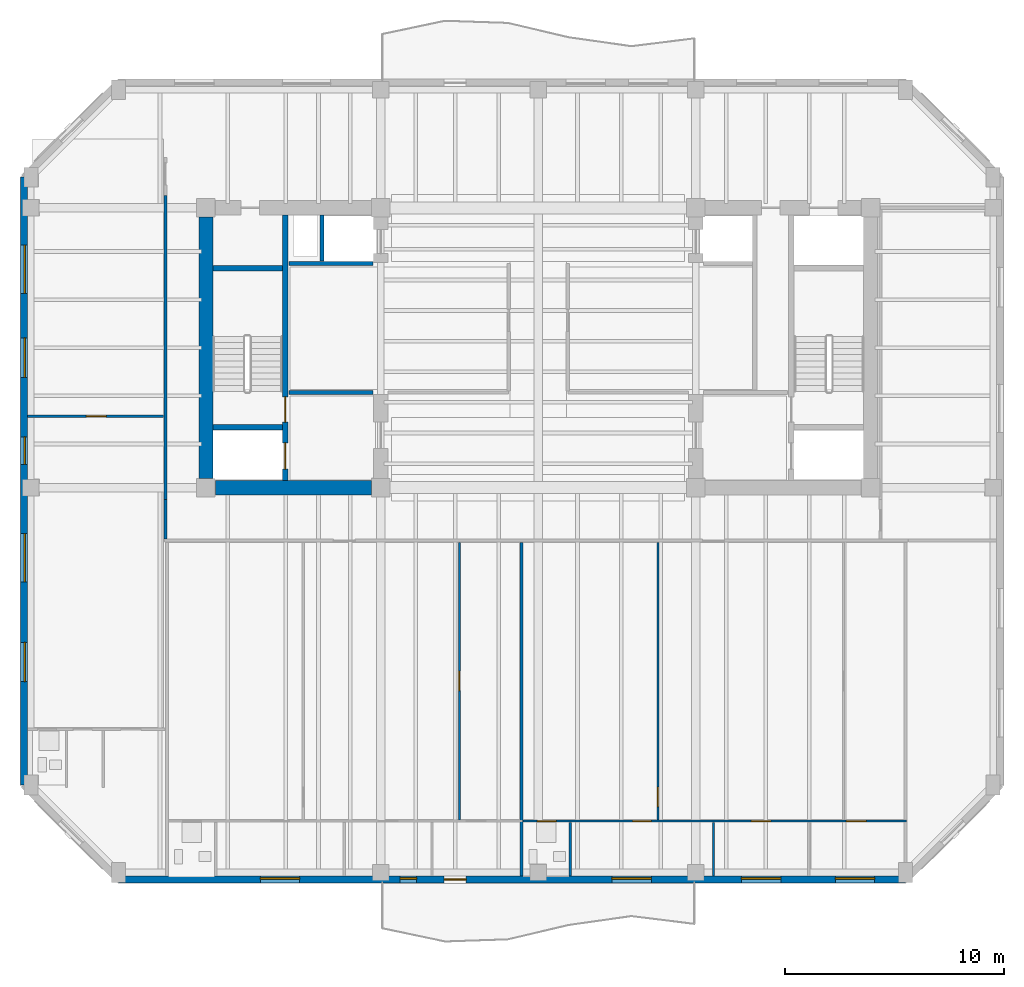
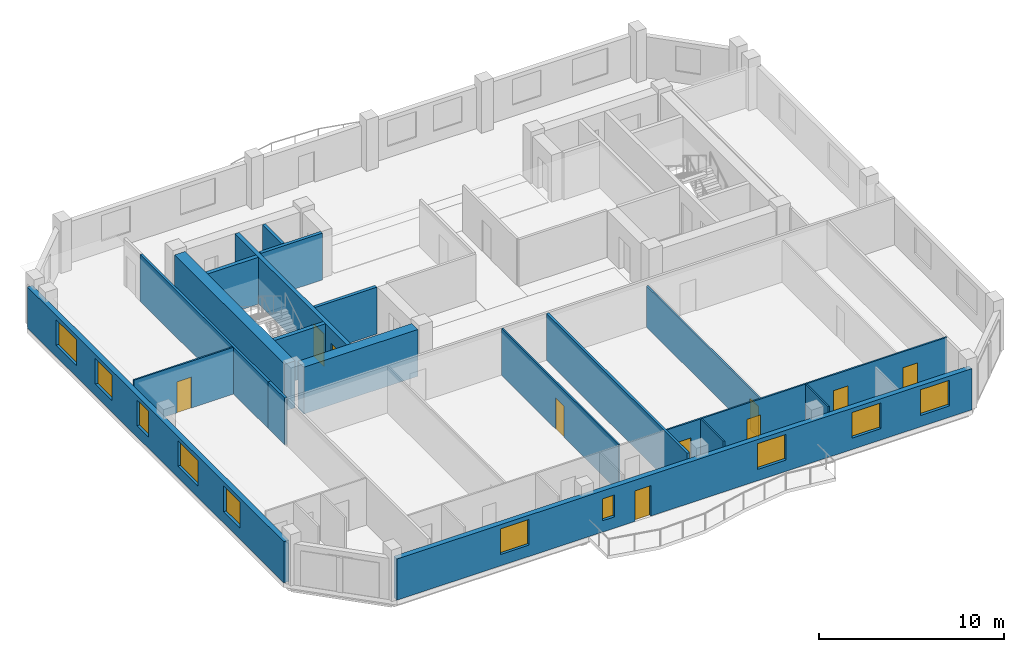
# One storey, part 3 of 10: 19 walls, 10 doors, 10 windows, 20 openings.
"""IFC4 building model written with IfcOpenShell, lengths in metres."""

from ifc_helpers import new_model, si_unit, direction, frame, frame_2d, origin, place, context, subcontext, project, spatial, rectangle, extrude, material, layer, layer_set, type_object, element, fill, save


model = new_model("IFC4")

# Units and contexts
model_context = context("Model", 3, precision=1e-05, world=origin(), true_north=direction((0.0, 1.0)))
body_context = subcontext(model_context, "Body", "Model", "MODEL_VIEW")
ifc_project = project(units=[si_unit("LENGTHUNIT", "METRE"), si_unit("AREAUNIT", "SQUARE_METRE"), si_unit("VOLUMEUNIT", "CUBIC_METRE"), si_unit("PLANEANGLEUNIT", "RADIAN"), si_unit("MASSUNIT", "GRAM", prefix="KILO")], contexts=[model_context])

# Site, building, storey
site_placement = place(None, origin())
site = spatial("IfcSite", under=ifc_project, at=site_placement, CompositionType="ELEMENT")
building_placement = place(site_placement, origin())
building = spatial("IfcBuilding", under=site, at=building_placement, Name="Kranthara Brick Stack", CompositionType="ELEMENT")
storey_placement = place(building_placement, frame((0.0, 0.0, 214.300048828125)))
storey = spatial("IfcBuildingStorey", under=building, at=storey_placement, Name="L55", CompositionType="ELEMENT", Elevation=214.300048828125)

# Wall, openings, door, windows
ifc_material_1 = material(Name="Warm buff clay brick masonry M15", Category="masonry")
ifc_layer_1 = layer(ifc_material_1, 0.320068359375)
ifc_layer_set_1 = layer_set([ifc_layer_1], Name="Warm buff clay brick masonry M15")
wall_type_1 = type_object("IfcWallType", Name="WL-BRK-UPPR-320", PredefinedType="STANDARD", material=ifc_layer_set_1)
wall_1_placement = place(storey_placement, frame((44.800048828125, 2.8798828125, 0.0), z_axis=(0.0, 0.0, 1.0), x_axis=(-1.0, 0.0, 0.0)))
wall_1 = element("IfcWall", 1, at=wall_1_placement, inside=storey, type_object=wall_type_1, Name="L55 Exterior Brick Facade Wall SOUTH 1", PredefinedType="STANDARD", context=body_context, shape_type="SweptSolid", body=[
    extrude(rectangle(XDim=36.0, YDim=0.320068359375, at=frame_2d((18.0, 0.0))), origin(), (0.0, 0.0, 1.0), 2.724853515625),
])
opening_1_placement = place(wall_1_placement, frame((20.10009765625, 0.0, 0.0)))
opening_1 = element("IfcOpeningElement", 2, at=opening_1_placement, cuts=wall_1, Name="Opening D03", PredefinedType="OPENING", context=body_context, shape_type="SweptSolid", body=[
    extrude(rectangle(XDim=1.0, YDim=2.02001953125, at=frame_2d((0.5, 1.010009765625))), frame((0.0, 0.169921875, 0.0), z_axis=(0.0, -1.0, 0.0), x_axis=(1.0, 0.0, 0.0)), (0.0, 0.0, 1.0), 0.340087890625),
])
opening_2_placement = place(wall_1_placement, frame((1.416015625, 0.0, 0.75)))
opening_2 = element("IfcOpeningElement", 3, at=opening_2_placement, cuts=wall_1, Name="Opening WN07", PredefinedType="OPENING", context=body_context, shape_type="SweptSolid", body=[
    extrude(rectangle(XDim=1.800048828125, YDim=1.699951171875, at=frame_2d((0.89990234375, 0.85009765625))), frame((0.0, 0.169921875, 0.0), z_axis=(0.0, -1.0, 0.0), x_axis=(1.0, 0.0, 0.0)), (0.0, 0.0, 1.0), 0.340087890625),
])
opening_3_placement = place(wall_1_placement, frame((5.70703125, 0.0, 0.75)))
opening_3 = element("IfcOpeningElement", 4, at=opening_3_placement, cuts=wall_1, Name="Opening WN07", PredefinedType="OPENING", context=body_context, shape_type="SweptSolid", body=[
    extrude(rectangle(XDim=1.800048828125, YDim=1.699951171875, at=frame_2d((0.89990234375, 0.85009765625))), frame((0.0, 0.169921875, 0.0), z_axis=(0.0, -1.0, 0.0), x_axis=(1.0, 0.0, 0.0)), (0.0, 0.0, 1.0), 0.340087890625),
])
opening_4_placement = place(wall_1_placement, frame((11.6298828125, 0.0, 0.75)))
opening_4 = element("IfcOpeningElement", 5, at=opening_4_placement, cuts=wall_1, Name="Opening WN07", PredefinedType="OPENING", context=body_context, shape_type="SweptSolid", body=[
    extrude(rectangle(XDim=1.800048828125, YDim=1.699951171875, at=frame_2d((0.89990234375, 0.85009765625))), frame((0.0, 0.169921875, 0.0), z_axis=(0.0, -1.0, 0.0), x_axis=(1.0, 0.0, 0.0)), (0.0, 0.0, 1.0), 0.340087890625),
])
opening_5_placement = place(wall_1_placement, frame((27.7119140625, 0.0, 0.75)))
opening_5 = element("IfcOpeningElement", 6, at=opening_5_placement, cuts=wall_1, Name="Opening WN07", PredefinedType="OPENING", context=body_context, shape_type="SweptSolid", body=[
    extrude(rectangle(XDim=1.800048828125, YDim=1.699951171875, at=frame_2d((0.89990234375, 0.85009765625))), frame((0.0, 0.169921875, 0.0), z_axis=(0.0, -1.0, 0.0), x_axis=(1.0, 0.0, 0.0)), (0.0, 0.0, 1.0), 0.340087890625),
])
opening_6_placement = place(wall_1_placement, frame((22.366943359375, 0.0, 0.75)))
opening_6 = element("IfcOpeningElement", 7, at=opening_6_placement, cuts=wall_1, Name="Opening WN13", PredefinedType="OPENING", context=body_context, shape_type="SweptSolid", body=[
    extrude(rectangle(XDim=0.75, YDim=1.449951171875, at=frame_2d((0.375, 0.72509765625))), frame((0.0, 0.169921875, 0.0), z_axis=(0.0, -1.0, 0.0), x_axis=(1.0, 0.0, 0.0)), (0.0, 0.0, 1.0), 0.340087890625),
])
ifc_material_2 = material(Name="Bronze anodised aluminium and laminated glass", Category="aluminium")
door_type_1 = type_object("IfcDoorType", Name="DR-BALC-1000", OperationType="NOTDEFINED", PredefinedType="DOOR", material=ifc_material_2)
door_1_placement = place(opening_1_placement, origin())
door_1 = element("IfcDoor", 8, at=door_1_placement, inside=storey, type_object=door_type_1, Name="L55 South Balcony Terrace Door", OperationType="SINGLE_SWING_LEFT", OverallHeight=2.02001953125, OverallWidth=1.0, PredefinedType="DOOR", context=body_context, shape_type="SweptSolid", body=[
    extrude(rectangle(XDim=1.0, YDim=2.02001953125, at=frame_2d((0.5, 1.010009765625))), frame((0.0, 0.02490234375, 0.0), z_axis=(0.0, -1.0, 0.0), x_axis=(1.0, 0.0, 0.0)), (0.0, 0.0, 1.0), 0.050048828125),
])
fill(opening_1, door_1)
ifc_material_3 = material(Name="Double-glazed low-E solar control glass", Category="glass")
window_type_1 = type_object("IfcWindowType", Name="WN-CAS-750x1450", PartitioningType="SINGLE_PANEL", PredefinedType="WINDOW", material=ifc_material_3)
window_1_placement = place(opening_6_placement, origin())
window_1 = element("IfcWindow", 9, at=window_1_placement, inside=storey, type_object=window_type_1, Name="L55 South Deep-Set Casement Window 05", OverallHeight=1.449951171875, OverallWidth=0.75, PartitioningType="SINGLE_PANEL", PredefinedType="WINDOW", context=body_context, shape_type="SweptSolid", body=[
    extrude(rectangle(XDim=0.75, YDim=1.449951171875, at=frame_2d((0.375, 0.72509765625))), frame((0.0, -0.010009765625, 0.0), z_axis=(0.0, -1.0, 0.0), x_axis=(1.0, 0.0, 0.0)), (0.0, 0.0, 1.0), 0.06005859375),
])
fill(opening_6, window_1)
ifc_material_4 = material(Name="Double-glazed low-E solar control glass", Category="glass")
window_type_2 = type_object("IfcWindowType", Name="WN-RES-1800x1850", PartitioningType="DOUBLE_PANEL_VERTICAL", PredefinedType="WINDOW", material=ifc_material_4)
window_2_placement = place(opening_2_placement, origin())
window_2 = element("IfcWindow", 10, at=window_2_placement, inside=storey, type_object=window_type_2, Name="L55 South Deep-Set Brick Window 01", OverallHeight=1.699951171875, OverallWidth=1.800048828125, PartitioningType="SINGLE_PANEL", PredefinedType="WINDOW", context=body_context, shape_type="SweptSolid", body=[
    extrude(rectangle(XDim=1.800048828125, YDim=1.699951171875, at=frame_2d((0.89990234375, 0.85009765625))), frame((0.0, -0.010009765625, 0.0), z_axis=(0.0, -1.0, 0.0), x_axis=(1.0, 0.0, 0.0)), (0.0, 0.0, 1.0), 0.06005859375),
])
fill(opening_2, window_2)
window_3_placement = place(opening_3_placement, origin())
window_3 = element("IfcWindow", 11, at=window_3_placement, inside=storey, type_object=window_type_2, Name="L55 South Deep-Set Brick Window 02", OverallHeight=1.699951171875, OverallWidth=1.800048828125, PartitioningType="SINGLE_PANEL", PredefinedType="WINDOW", context=body_context, shape_type="SweptSolid", body=[
    extrude(rectangle(XDim=1.800048828125, YDim=1.699951171875, at=frame_2d((0.89990234375, 0.85009765625))), frame((0.0, -0.010009765625, 0.0), z_axis=(0.0, -1.0, 0.0), x_axis=(1.0, 0.0, 0.0)), (0.0, 0.0, 1.0), 0.06005859375),
])
fill(opening_3, window_3)
window_4_placement = place(opening_4_placement, origin())
window_4 = element("IfcWindow", 12, at=window_4_placement, inside=storey, type_object=window_type_2, Name="L55 South Deep-Set Brick Window 03", OverallHeight=1.699951171875, OverallWidth=1.800048828125, PartitioningType="SINGLE_PANEL", PredefinedType="WINDOW", context=body_context, shape_type="SweptSolid", body=[
    extrude(rectangle(XDim=1.800048828125, YDim=1.699951171875, at=frame_2d((0.89990234375, 0.85009765625))), frame((0.0, -0.010009765625, 0.0), z_axis=(0.0, -1.0, 0.0), x_axis=(1.0, 0.0, 0.0)), (0.0, 0.0, 1.0), 0.06005859375),
])
fill(opening_4, window_4)
window_5_placement = place(opening_5_placement, origin())
window_5 = element("IfcWindow", 13, at=window_5_placement, inside=storey, type_object=window_type_2, Name="L55 South Deep-Set Brick Window 04", OverallHeight=1.699951171875, OverallWidth=1.800048828125, PartitioningType="SINGLE_PANEL", PredefinedType="WINDOW", context=body_context, shape_type="SweptSolid", body=[
    extrude(rectangle(XDim=1.800048828125, YDim=1.699951171875, at=frame_2d((0.89990234375, 0.85009765625))), frame((0.0, -0.010009765625, 0.0), z_axis=(0.0, -1.0, 0.0), x_axis=(1.0, 0.0, 0.0)), (0.0, 0.0, 1.0), 0.06005859375),
])
fill(opening_5, window_5)

# Wall, openings, windows
wall_2_placement = place(storey_placement, frame((4.47998046875, 7.199951171875, 0.0), z_axis=(0.0, 0.0, 1.0), x_axis=(0.0, 1.0, 0.0)))
wall_2 = element("IfcWall", 14, at=wall_2_placement, inside=storey, type_object=wall_type_1, Name="L55 Exterior Brick Facade Wall WEST 1", PredefinedType="STANDARD", context=body_context, shape_type="SweptSolid", body=[
    extrude(rectangle(XDim=27.800048828125, YDim=0.320068359375, at=frame_2d((13.89990234375, 0.0))), origin(), (0.0, 0.0, 1.0), 2.724853515625),
])
opening_7_placement = place(wall_2_placement, frame((4.72998046875, 0.0, 0.75)))
opening_7 = element("IfcOpeningElement", 15, at=opening_7_placement, cuts=wall_2, Name="Opening WN07", PredefinedType="OPENING", context=body_context, shape_type="SweptSolid", body=[
    extrude(rectangle(XDim=1.800048828125, YDim=1.699951171875, at=frame_2d((0.89990234375, 0.85009765625))), frame((0.0, 0.169921875, 0.0), z_axis=(0.0, -1.0, 0.0), x_axis=(1.0, 0.0, 0.0)), (0.0, 0.0, 1.0), 0.340087890625),
])
opening_8_placement = place(wall_2_placement, frame((9.294921875, 0.0, 0.75)))
opening_8 = element("IfcOpeningElement", 16, at=opening_8_placement, cuts=wall_2, Name="Opening WN08", PredefinedType="OPENING", context=body_context, shape_type="SweptSolid", body=[
    extrude(rectangle(XDim=2.199951171875, YDim=1.699951171875, at=frame_2d((1.10009765625, 0.85009765625))), frame((0.0, 0.169921875, 0.0), z_axis=(0.0, -1.0, 0.0), x_axis=(1.0, 0.0, 0.0)), (0.0, 0.0, 1.0), 0.340087890625),
])
opening_9_placement = place(wall_2_placement, frame((14.6689453125, 0.0, 0.75)))
opening_9 = element("IfcOpeningElement", 17, at=opening_9_placement, cuts=wall_2, Name="Opening WN09", PredefinedType="OPENING", context=body_context, shape_type="SweptSolid", body=[
    extrude(rectangle(XDim=1.25, YDim=1.699951171875, at=frame_2d((0.625, 0.85009765625))), frame((0.0, 0.169921875, 0.0), z_axis=(0.0, -1.0, 0.0), x_axis=(1.0, 0.0, 0.0)), (0.0, 0.0, 1.0), 0.340087890625),
])
opening_10_placement = place(wall_2_placement, frame((18.64892578125, 0.0, 0.75)))
opening_10 = element("IfcOpeningElement", 18, at=opening_10_placement, cuts=wall_2, Name="Opening WN07", PredefinedType="OPENING", context=body_context, shape_type="SweptSolid", body=[
    extrude(rectangle(XDim=1.800048828125, YDim=1.699951171875, at=frame_2d((0.89990234375, 0.85009765625))), frame((0.0, 0.169921875, 0.0), z_axis=(0.0, -1.0, 0.0), x_axis=(1.0, 0.0, 0.0)), (0.0, 0.0, 1.0), 0.340087890625),
])
opening_11_placement = place(wall_2_placement, frame((22.488037109375, 0.0, 0.75)))
opening_11 = element("IfcOpeningElement", 19, at=opening_11_placement, cuts=wall_2, Name="Opening WN08", PredefinedType="OPENING", context=body_context, shape_type="SweptSolid", body=[
    extrude(rectangle(XDim=2.199951171875, YDim=1.699951171875, at=frame_2d((1.10009765625, 0.85009765625))), frame((0.0, 0.169921875, 0.0), z_axis=(0.0, -1.0, 0.0), x_axis=(1.0, 0.0, 0.0)), (0.0, 0.0, 1.0), 0.340087890625),
])
ifc_material_5 = material(Name="Double-glazed low-E solar control glass", Category="glass")
window_type_3 = type_object("IfcWindowType", Name="WN-RES-1250x1850", PartitioningType="SINGLE_PANEL", PredefinedType="WINDOW", material=ifc_material_5)
window_6_placement = place(opening_9_placement, origin())
window_6 = element("IfcWindow", 20, at=window_6_placement, inside=storey, type_object=window_type_3, Name="L55 West Deep-Set Brick Window 03", OverallHeight=1.699951171875, OverallWidth=1.25, PartitioningType="SINGLE_PANEL", PredefinedType="WINDOW", context=body_context, shape_type="SweptSolid", body=[
    extrude(rectangle(XDim=1.25, YDim=1.699951171875, at=frame_2d((0.625, 0.85009765625))), frame((0.0, -0.010009765625, 0.0), z_axis=(0.0, -1.0, 0.0), x_axis=(1.0, 0.0, 0.0)), (0.0, 0.0, 1.0), 0.06005859375),
])
fill(opening_9, window_6)
window_7_placement = place(opening_7_placement, origin())
window_7 = element("IfcWindow", 21, at=window_7_placement, inside=storey, type_object=window_type_2, Name="L55 West Deep-Set Brick Window 01", OverallHeight=1.699951171875, OverallWidth=1.800048828125, PartitioningType="SINGLE_PANEL", PredefinedType="WINDOW", context=body_context, shape_type="SweptSolid", body=[
    extrude(rectangle(XDim=1.800048828125, YDim=1.699951171875, at=frame_2d((0.89990234375, 0.85009765625))), frame((0.0, -0.010009765625, 0.0), z_axis=(0.0, -1.0, 0.0), x_axis=(1.0, 0.0, 0.0)), (0.0, 0.0, 1.0), 0.06005859375),
])
fill(opening_7, window_7)
window_8_placement = place(opening_10_placement, origin())
window_8 = element("IfcWindow", 22, at=window_8_placement, inside=storey, type_object=window_type_2, Name="L55 West Deep-Set Brick Window 04", OverallHeight=1.699951171875, OverallWidth=1.800048828125, PartitioningType="SINGLE_PANEL", PredefinedType="WINDOW", context=body_context, shape_type="SweptSolid", body=[
    extrude(rectangle(XDim=1.800048828125, YDim=1.699951171875, at=frame_2d((0.89990234375, 0.85009765625))), frame((0.0, -0.010009765625, 0.0), z_axis=(0.0, -1.0, 0.0), x_axis=(1.0, 0.0, 0.0)), (0.0, 0.0, 1.0), 0.06005859375),
])
fill(opening_10, window_8)
ifc_material_6 = material(Name="Double-glazed low-E solar control glass", Category="glass")
window_type_4 = type_object("IfcWindowType", Name="WN-RES-2200x1850", PartitioningType="TRIPLE_PANEL_VERTICAL", PredefinedType="WINDOW", material=ifc_material_6)
window_9_placement = place(opening_8_placement, origin())
window_9 = element("IfcWindow", 23, at=window_9_placement, inside=storey, type_object=window_type_4, Name="L55 West Deep-Set Brick Window 02", OverallHeight=1.699951171875, OverallWidth=2.199951171875, PartitioningType="SINGLE_PANEL", PredefinedType="WINDOW", context=body_context, shape_type="SweptSolid", body=[
    extrude(rectangle(XDim=2.199951171875, YDim=1.699951171875, at=frame_2d((1.10009765625, 0.85009765625))), frame((0.0, -0.010009765625, 0.0), z_axis=(0.0, -1.0, 0.0), x_axis=(1.0, 0.0, 0.0)), (0.0, 0.0, 1.0), 0.06005859375),
])
fill(opening_8, window_9)
window_10_placement = place(opening_11_placement, origin())
window_10 = element("IfcWindow", 24, at=window_10_placement, inside=storey, type_object=window_type_4, Name="L55 West Deep-Set Brick Window 05", OverallHeight=1.699951171875, OverallWidth=2.199951171875, PartitioningType="SINGLE_PANEL", PredefinedType="WINDOW", context=body_context, shape_type="SweptSolid", body=[
    extrude(rectangle(XDim=2.199951171875, YDim=1.699951171875, at=frame_2d((1.10009765625, 0.85009765625))), frame((0.0, -0.010009765625, 0.0), z_axis=(0.0, -1.0, 0.0), x_axis=(1.0, 0.0, 0.0)), (0.0, 0.0, 1.0), 0.06005859375),
])
fill(opening_11, window_10)

# Wall, openings, doors
ifc_material_7 = material(Name="Concrete C50/60", Category="concrete")
ifc_layer_2 = layer(ifc_material_7, 0.25)
ifc_layer_set_2 = layer_set([ifc_layer_2], Name="Concrete C50/60")
wall_type_2 = type_object("IfcWallType", Name="WL-CORE-250", PredefinedType="SHEAR", material=ifc_layer_set_2)
wall_3_placement = place(storey_placement, frame((16.43505859375, 21.135009765625, 0.0), z_axis=(0.0, 0.0, 1.0), x_axis=(0.0, 1.0, 0.0)))
wall_3 = element("IfcWall", 25, at=wall_3_placement, inside=storey, type_object=wall_type_2, Name="L55 West Core Stair Bearing Spine Wall", PredefinedType="SHEAR", context=body_context, shape_type="SweptSolid", body=[
    extrude(rectangle(XDim=12.1298828125, YDim=0.25, at=frame_2d((6.06494140625, 0.0))), origin(), (0.0, 0.0, 1.0), 3.099853515625),
])
opening_12_placement = place(wall_3_placement, frame((0.514892578125, 0.0, 0.0)))
opening_12 = element("IfcOpeningElement", 26, at=opening_12_placement, cuts=wall_3, Name="Opening LD01", PredefinedType="OPENING", context=body_context, shape_type="SweptSolid", body=[
    extrude(rectangle(XDim=1.199951171875, YDim=2.14990234375, at=frame_2d((0.60009765625, 1.074951171875))), frame((0.0, 0.135009765625, 0.0), z_axis=(0.0, -1.0, 0.0), x_axis=(1.0, 0.0, 0.0)), (0.0, 0.0, 1.0), 0.27001953125),
])
opening_13_placement = place(wall_3_placement, frame((2.6650390625, 0.0, 0.0)))
opening_13 = element("IfcOpeningElement", 27, at=opening_13_placement, cuts=wall_3, Name="Opening D05", PredefinedType="OPENING", context=body_context, shape_type="SweptSolid", body=[
    extrude(rectangle(XDim=1.14990234375, YDim=2.14990234375, at=frame_2d((0.574951171875, 1.074951171875))), frame((0.0, 0.135009765625, 0.0), z_axis=(0.0, -1.0, 0.0), x_axis=(1.0, 0.0, 0.0)), (0.0, 0.0, 1.0), 0.27001953125),
])
ifc_material_8 = material(Name="Stainless steel sliding landing door", Category="steel")
door_type_2 = type_object("IfcDoorType", Name="DR-LD-FF1200", OperationType="DOUBLE_DOOR_SLIDING", PredefinedType="DOOR", material=ifc_material_8)
door_2_placement = place(opening_12_placement, origin())
door_2 = element("IfcDoor", 28, at=door_2_placement, inside=storey, type_object=door_type_2, Name="L55 Firefighting Lift FF-01 Landing Door", OperationType="DOUBLE_DOOR_SLIDING", OverallHeight=2.14990234375, OverallWidth=1.199951171875, PredefinedType="DOOR", context=body_context, shape_type="SweptSolid", body=[
    extrude(rectangle(XDim=1.199951171875, YDim=2.14990234375, at=frame_2d((0.60009765625, 1.074951171875))), frame((0.0, 0.02490234375, 0.0), z_axis=(0.0, -1.0, 0.0), x_axis=(1.0, 0.0, 0.0)), (0.0, 0.0, 1.0), 0.050048828125),
])
fill(opening_12, door_2)
ifc_material_9 = material(Name="Solid-core hardwood timber leaf in steel frame", Category="steel")
door_type_3 = type_object("IfcDoorType", Name="DR-ST-1150", OperationType="NOTDEFINED", PredefinedType="DOOR", material=ifc_material_9)
door_3_placement = place(opening_13_placement, origin())
door_3 = element("IfcDoor", 29, at=door_3_placement, inside=storey, type_object=door_type_3, Name="L55 Exit Stair ST01 Door", OperationType="SINGLE_SWING_RIGHT", OverallHeight=2.14990234375, OverallWidth=1.14990234375, PredefinedType="DOOR", context=body_context, shape_type="SweptSolid", body=[
    extrude(rectangle(XDim=1.14990234375, YDim=2.14990234375, at=frame_2d((0.574951171875, 1.074951171875))), frame((0.0, 0.02490234375, 0.0), z_axis=(0.0, -1.0, 0.0), x_axis=(1.0, 0.0, 0.0)), (0.0, 0.0, 1.0), 0.050048828125),
])
fill(opening_13, door_3)

# Walls
for number, where, z_axis, x_axis, name in (
    (30, (13.135009765625, 23.570068359375, 0.0), (0.0, 0.0, 1.0), (1.0, 0.0, 0.0), "L55 West Stairwell Bearing Wall WFF"),
    (31, (13.135009765625, 30.830078125, 0.0), (0.0, 0.0, 1.0), (1.0, 0.0, 0.0), "L55 West Stairwell Bearing Wall WST"),
):
    element("IfcWall", number, at=place(storey_placement, frame(where, z_axis=z_axis, x_axis=x_axis)), inside=storey, type_object=wall_type_2, Name=name, PredefinedType="SHEAR", context=body_context, shape_type="SweptSolid", body=[
        extrude(rectangle(XDim=3.175048828125, YDim=0.25, at=frame_2d((1.58740234375, 0.0))), origin(), (0.0, 0.0, 1.0), 3.099853515625),
    ])
ifc_material_10 = material(Name="Concrete C60/75", Category="concrete")
ifc_layer_3 = layer(ifc_material_10, 0.64990234375)
ifc_layer_set_3 = layer_set([ifc_layer_3], Name="Concrete C60/75")
wall_type_3 = type_object("IfcWallType", Name="WL-CORE-650", PredefinedType="SHEAR", material=ifc_layer_set_3)
wall_4_placement = place(storey_placement, frame((12.800048828125, 21.22998046875, 0.0), z_axis=(0.0, 0.0, 1.0), x_axis=(0.0, 1.0, 0.0)))
element("IfcWall", 32, at=wall_4_placement, inside=storey, type_object=wall_type_3, Name="L55 West Core Shear Wall West", PredefinedType="SHEAR", context=body_context, shape_type="SweptSolid", body=[
    extrude(rectangle(XDim=11.93994140625, YDim=0.64990234375, at=frame_2d((5.969970703125, 0.0))), origin(), (0.0, 0.0, 1.0), 3.099853515625),
])
wall_5_placement = place(storey_placement, frame((13.22998046875, 20.800048828125, 0.0), z_axis=(0.0, 0.0, 1.0), x_axis=(1.0, 0.0, 0.0)))
element("IfcWall", 33, at=wall_5_placement, inside=storey, type_object=wall_type_3, Name="L55 West Core Shear Wall South", PredefinedType="SHEAR", context=body_context, shape_type="SweptSolid", body=[
    extrude(rectangle(XDim=7.14013671875, YDim=0.64990234375, at=frame_2d((3.570068359375, 0.0))), origin(), (0.0, 0.0, 1.0), 3.099853515625),
])

# Wall, opening, door
ifc_material_11 = material(Name="Moisture-resistant wet-room partition", Category="other")
ifc_layer_4 = layer(ifc_material_11, 0.10009765625)
ifc_layer_set_4 = layer_set([ifc_layer_4], Name="Moisture-resistant wet-room partition")
wall_type_4 = type_object("IfcWallType", Name="WL-PART-100", PredefinedType="PARTITIONING", material=ifc_layer_set_4)
wall_6_placement = place(storey_placement, frame((24.39208984375, 5.60498046875, 0.0), z_axis=(0.0, 0.0, 1.0), x_axis=(0.0, 1.0, 0.0)))
wall_6 = element("IfcWall", 34, at=wall_6_placement, inside=storey, type_object=wall_type_4, Name="L55 Interior Partition 008", PredefinedType="PARTITIONING", context=body_context, shape_type="SweptSolid", body=[
    extrude(rectangle(XDim=12.695068359375, YDim=0.10009765625, at=frame_2d((6.34765625, 0.0))), origin(), (0.0, 0.0, 1.0), 3.099853515625),
])
opening_14_placement = place(wall_6_placement, frame((5.909912109375, 0.0, 0.0)))
opening_14 = element("IfcOpeningElement", 35, at=opening_14_placement, cuts=wall_6, Name="Opening D15", PredefinedType="OPENING", context=body_context, shape_type="SweptSolid", body=[
    extrude(rectangle(XDim=0.89990234375, YDim=2.050048828125, at=frame_2d((0.449951171875, 1.02490234375))), frame((0.0, 0.06005859375, 0.0), z_axis=(0.0, -1.0, 0.0), x_axis=(1.0, 0.0, 0.0)), (0.0, 0.0, 1.0), 0.1201171875),
])
ifc_material_12 = material(Name="Solid-core hardwood timber leaf in steel frame", Category="steel")
door_type_4 = type_object("IfcDoorType", Name="DR-INT-900", OperationType="NOTDEFINED", PredefinedType="DOOR", material=ifc_material_12)
door_4_placement = place(opening_14_placement, origin())
door_4 = element("IfcDoor", 36, at=door_4_placement, inside=storey, type_object=door_type_4, Name="L55 Unit L55A Bedroom 3 04", OperationType="SINGLE_SWING_RIGHT", OverallHeight=2.050048828125, OverallWidth=0.89990234375, PredefinedType="DOOR", context=body_context, shape_type="SweptSolid", body=[
    extrude(rectangle(XDim=0.89990234375, YDim=2.050048828125, at=frame_2d((0.449951171875, 1.02490234375))), frame((0.0, 0.02490234375, 0.0), z_axis=(0.0, -1.0, 0.0), x_axis=(1.0, 0.0, 0.0)), (0.0, 0.0, 1.0), 0.050048828125),
])
fill(opening_14, door_4)

# Wall, openings, doors
wall_7_placement = place(storey_placement, frame((27.31396484375, 5.550048828125, 0.0), z_axis=(0.0, 0.0, 1.0), x_axis=(1.0, 0.0, 0.0)))
wall_7 = element("IfcWall", 37, at=wall_7_placement, inside=storey, type_object=wall_type_4, Name="L55 Interior Partition 014", PredefinedType="PARTITIONING", context=body_context, shape_type="SweptSolid", body=[
    extrude(rectangle(XDim=17.526123046875, YDim=0.10009765625, at=frame_2d((8.76318359375, 0.0))), origin(), (0.0, 0.0, 1.0), 3.099853515625),
])
opening_15_placement = place(wall_7_placement, frame((0.64990234375, 0.0, 0.0)))
opening_15 = element("IfcOpeningElement", 38, at=opening_15_placement, cuts=wall_7, Name="Opening D17", PredefinedType="OPENING", context=body_context, shape_type="SweptSolid", body=[
    extrude(rectangle(XDim=0.85009765625, YDim=2.050048828125, at=frame_2d((0.425048828125, 1.02490234375))), frame((0.0, 0.06005859375, 0.0), z_axis=(0.0, -1.0, 0.0), x_axis=(1.0, 0.0, 0.0)), (0.0, 0.0, 1.0), 0.1201171875),
])
opening_16_placement = place(wall_7_placement, frame((5.0009765625, 0.0, 0.0)))
opening_16 = element("IfcOpeningElement", 39, at=opening_16_placement, cuts=wall_7, Name="Opening D16", PredefinedType="OPENING", context=body_context, shape_type="SweptSolid", body=[
    extrude(rectangle(XDim=0.85009765625, YDim=2.050048828125, at=frame_2d((0.425048828125, 1.02490234375))), frame((0.0, 0.06005859375, 0.0), z_axis=(0.0, -1.0, 0.0), x_axis=(1.0, 0.0, 0.0)), (0.0, 0.0, 1.0), 0.1201171875),
])
opening_17_placement = place(wall_7_placement, frame((10.427978515625, 0.0, 0.0)))
opening_17 = element("IfcOpeningElement", 40, at=opening_17_placement, cuts=wall_7, Name="Opening D15", PredefinedType="OPENING", context=body_context, shape_type="SweptSolid", body=[
    extrude(rectangle(XDim=0.89990234375, YDim=2.050048828125, at=frame_2d((0.449951171875, 1.02490234375))), frame((0.0, 0.06005859375, 0.0), z_axis=(0.0, -1.0, 0.0), x_axis=(1.0, 0.0, 0.0)), (0.0, 0.0, 1.0), 0.1201171875),
])
opening_18_placement = place(wall_7_placement, frame((14.780029296875, 0.0, 0.0)))
opening_18 = element("IfcOpeningElement", 41, at=opening_18_placement, cuts=wall_7, Name="Opening D15", PredefinedType="OPENING", context=body_context, shape_type="SweptSolid", body=[
    extrude(rectangle(XDim=0.89990234375, YDim=2.050048828125, at=frame_2d((0.449951171875, 1.02490234375))), frame((0.0, 0.06005859375, 0.0), z_axis=(0.0, -1.0, 0.0), x_axis=(1.0, 0.0, 0.0)), (0.0, 0.0, 1.0), 0.1201171875),
])
ifc_material_13 = material(Name="Solid-core hardwood timber leaf in steel frame", Category="steel")
door_type_5 = type_object("IfcDoorType", Name="DR-INT-850", OperationType="NOTDEFINED", PredefinedType="DOOR", material=ifc_material_13)
door_5_placement = place(opening_16_placement, origin())
door_5 = element("IfcDoor", 42, at=door_5_placement, inside=storey, type_object=door_type_5, Name="L55 Unit L55B Kitchen 14", OperationType="SINGLE_SWING_RIGHT", OverallHeight=2.050048828125, OverallWidth=0.85009765625, PredefinedType="DOOR", context=body_context, shape_type="SweptSolid", body=[
    extrude(rectangle(XDim=0.85009765625, YDim=2.050048828125, at=frame_2d((0.425048828125, 1.02490234375))), frame((0.0, 0.02490234375, 0.0), z_axis=(0.0, -1.0, 0.0), x_axis=(1.0, 0.0, 0.0)), (0.0, 0.0, 1.0), 0.050048828125),
])
fill(opening_16, door_5)
door_6_placement = place(opening_17_placement, origin())
door_6 = element("IfcDoor", 43, at=door_6_placement, inside=storey, type_object=door_type_4, Name="L55 Unit L55B Master Bedroom 15", OperationType="SINGLE_SWING_LEFT", OverallHeight=2.050048828125, OverallWidth=0.89990234375, PredefinedType="DOOR", context=body_context, shape_type="SweptSolid", body=[
    extrude(rectangle(XDim=0.89990234375, YDim=2.050048828125, at=frame_2d((0.449951171875, 1.02490234375))), frame((0.0, 0.02490234375, 0.0), z_axis=(0.0, -1.0, 0.0), x_axis=(1.0, 0.0, 0.0)), (0.0, 0.0, 1.0), 0.050048828125),
])
fill(opening_17, door_6)
door_7_placement = place(opening_18_placement, origin())
door_7 = element("IfcDoor", 44, at=door_7_placement, inside=storey, type_object=door_type_4, Name="L55 Unit L55B Bedroom 2 16", OperationType="SINGLE_SWING_RIGHT", OverallHeight=2.050048828125, OverallWidth=0.89990234375, PredefinedType="DOOR", context=body_context, shape_type="SweptSolid", body=[
    extrude(rectangle(XDim=0.89990234375, YDim=2.050048828125, at=frame_2d((0.449951171875, 1.02490234375))), frame((0.0, 0.02490234375, 0.0), z_axis=(0.0, -1.0, 0.0), x_axis=(1.0, 0.0, 0.0)), (0.0, 0.0, 1.0), 0.050048828125),
])
fill(opening_18, door_7)
ifc_material_14 = material(Name="Solid-core hardwood timber leaf in steel frame", Category="steel")
door_type_6 = type_object("IfcDoorType", Name="DR-WET-850", OperationType="NOTDEFINED", PredefinedType="DOOR", material=ifc_material_14)
door_8_placement = place(opening_15_placement, origin())
door_8 = element("IfcDoor", 45, at=door_8_placement, inside=storey, type_object=door_type_6, Name="L55 Unit L55B Bathroom 13", OperationType="SINGLE_SWING_LEFT", OverallHeight=2.050048828125, OverallWidth=0.85009765625, PredefinedType="DOOR", context=body_context, shape_type="SweptSolid", body=[
    extrude(rectangle(XDim=0.85009765625, YDim=2.050048828125, at=frame_2d((0.425048828125, 1.02490234375))), frame((0.0, 0.02490234375, 0.0), z_axis=(0.0, -1.0, 0.0), x_axis=(1.0, 0.0, 0.0)), (0.0, 0.0, 1.0), 0.050048828125),
])
fill(opening_15, door_8)

# Wall, opening, door
wall_8_placement = place(storey_placement, frame((33.469970703125, 5.60498046875, 0.0), z_axis=(0.0, 0.0, 1.0), x_axis=(0.0, 1.0, 0.0)))
wall_8 = element("IfcWall", 46, at=wall_8_placement, inside=storey, type_object=wall_type_4, Name="L55 Interior Partition 016", PredefinedType="PARTITIONING", context=body_context, shape_type="SweptSolid", body=[
    extrude(rectangle(XDim=12.695068359375, YDim=0.10009765625, at=frame_2d((6.34765625, 0.0))), origin(), (0.0, 0.0, 1.0), 2.724853515625),
])
opening_19_placement = place(wall_8_placement, frame((0.60498046875, 0.0, 0.0)))
opening_19 = element("IfcOpeningElement", 47, at=opening_19_placement, cuts=wall_8, Name="Opening D15", PredefinedType="OPENING", context=body_context, shape_type="SweptSolid", body=[
    extrude(rectangle(XDim=0.89990234375, YDim=2.050048828125, at=frame_2d((0.449951171875, 1.02490234375))), frame((0.0, 0.06005859375, 0.0), z_axis=(0.0, -1.0, 0.0), x_axis=(1.0, 0.0, 0.0)), (0.0, 0.0, 1.0), 0.1201171875),
])
door_9_placement = place(opening_19_placement, origin())
door_9 = element("IfcDoor", 48, at=door_9_placement, inside=storey, type_object=door_type_4, Name="L55 Unit L55B Study 12", OperationType="SINGLE_SWING_RIGHT", OverallHeight=2.050048828125, OverallWidth=0.89990234375, PredefinedType="DOOR", context=body_context, shape_type="SweptSolid", body=[
    extrude(rectangle(XDim=0.89990234375, YDim=2.050048828125, at=frame_2d((0.449951171875, 1.02490234375))), frame((0.0, 0.02490234375, 0.0), z_axis=(0.0, -1.0, 0.0), x_axis=(1.0, 0.0, 0.0)), (0.0, 0.0, 1.0), 0.050048828125),
])
fill(opening_19, door_9)

# Walls
for number, where, z_axis, x_axis, name in (
    (49, (29.464111328125, 3.044921875, 0.0), (0.0, 0.0, 1.0), (0.0, 1.0, 0.0), "L55 Interior Partition 017"),
    (50, (36.01708984375, 3.044921875, 0.0), (0.0, 0.0, 1.0), (0.0, 1.0, 0.0), "L55 Interior Partition 018"),
):
    element("IfcWall", number, at=place(storey_placement, frame(where, z_axis=z_axis, x_axis=x_axis)), inside=storey, type_object=wall_type_4, Name=name, PredefinedType="PARTITIONING", context=body_context, shape_type="SweptSolid", body=[
        extrude(rectangle(XDim=2.4501953125, YDim=0.10009765625, at=frame_2d((1.22509765625, 0.0))), origin(), (0.0, 0.0, 1.0), 3.099853515625),
    ])

# Wall, opening, door
wall_9_placement = place(storey_placement, frame((4.64501953125, 24.06201171875, 0.0), z_axis=(0.0, 0.0, 1.0), x_axis=(1.0, 0.0, 0.0)))
wall_9 = element("IfcWall", 51, at=wall_9_placement, inside=storey, type_object=wall_type_4, Name="L55 Interior Partition 027", PredefinedType="PARTITIONING", context=body_context, shape_type="SweptSolid", body=[
    extrude(rectangle(XDim=6.22509765625, YDim=0.10009765625, at=frame_2d((3.112548828125, 0.0))), origin(), (0.0, 0.0, 1.0), 3.099853515625),
])
opening_20_placement = place(wall_9_placement, frame((2.696044921875, 0.0, 0.0)))
opening_20 = element("IfcOpeningElement", 52, at=opening_20_placement, cuts=wall_9, Name="Opening D15", PredefinedType="OPENING", context=body_context, shape_type="SweptSolid", body=[
    extrude(rectangle(XDim=0.89990234375, YDim=2.050048828125, at=frame_2d((0.449951171875, 1.02490234375))), frame((0.0, 0.06005859375, 0.0), z_axis=(0.0, -1.0, 0.0), x_axis=(1.0, 0.0, 0.0)), (0.0, 0.0, 1.0), 0.1201171875),
])
door_10_placement = place(opening_20_placement, origin())
door_10 = element("IfcDoor", 53, at=door_10_placement, inside=storey, type_object=door_type_4, Name="L55 Unit L55C Study 18", OperationType="SINGLE_SWING_RIGHT", OverallHeight=2.050048828125, OverallWidth=0.89990234375, PredefinedType="DOOR", context=body_context, shape_type="SweptSolid", body=[
    extrude(rectangle(XDim=0.89990234375, YDim=2.050048828125, at=frame_2d((0.449951171875, 1.02490234375))), frame((0.0, 0.02490234375, 0.0), z_axis=(0.0, -1.0, 0.0), x_axis=(1.0, 0.0, 0.0)), (0.0, 0.0, 1.0), 0.050048828125),
])
fill(opening_20, door_10)

# Walls
ifc_material_15 = material(Name="Fire-rated gypsum board partition", Category="other")
ifc_layer_5 = layer(ifc_material_15, 0.14990234375)
ifc_layer_set_5 = layer_set([ifc_layer_5], Name="Fire-rated gypsum board partition")
wall_type_5 = type_object("IfcWallType", Name="WL-PART-150", PredefinedType="PARTITIONING", material=ifc_layer_set_5)
wall_10_placement = place(storey_placement, frame((27.23388671875, 3.044921875, 0.0), z_axis=(0.0, 0.0, 1.0), x_axis=(0.0, 1.0, 0.0)))
element("IfcWall", 54, at=wall_10_placement, inside=storey, type_object=wall_type_5, Name="L55 Interior Partition 013", PredefinedType="PARTITIONING", context=body_context, shape_type="SweptSolid", body=[
    extrude(rectangle(XDim=15.255126953125, YDim=0.14990234375, at=frame_2d((7.62744140625, 0.0))), origin(), (0.0, 0.0, 1.0), 3.099853515625),
])
wall_11_placement = place(storey_placement, frame((10.949951171875, 18.4599609375, 0.0), z_axis=(0.0, 0.0, 1.0), x_axis=(0.0, 1.0, 0.0)))
element("IfcWall", 55, at=wall_11_placement, inside=storey, type_object=wall_type_5, Name="L55 Interior Partition 022", PredefinedType="PARTITIONING", context=body_context, shape_type="SweptSolid", body=[
    extrude(rectangle(XDim=1.7900390625, YDim=0.14990234375, at=frame_2d((0.89501953125, 0.0))), origin(), (0.0, 0.0, 1.0), 3.099853515625),
])
wall_12_placement = place(storey_placement, frame((10.949951171875, 20.25, 0.0), z_axis=(0.0, 0.0, 1.0), x_axis=(0.0, 1.0, 0.0)))
element("IfcWall", 56, at=wall_12_placement, inside=storey, type_object=wall_type_5, Name="L55 Interior Partition 023", PredefinedType="PARTITIONING", context=body_context, shape_type="SweptSolid", body=[
    extrude(rectangle(XDim=13.89990234375, YDim=0.14990234375, at=frame_2d((6.949951171875, 0.0))), origin(), (0.0, 0.0, 1.0), 3.099853515625),
])
ifc_material_16 = material(Name="Gypsum plasterboard on acoustic twin stud", Category="other")
ifc_layer_6 = layer(ifc_material_16, 0.179931640625)
ifc_layer_set_6 = layer_set([ifc_layer_6], Name="Gypsum plasterboard on acoustic twin stud")
wall_type_6 = type_object("IfcWallType", Name="WL-PART-180", PredefinedType="PARTITIONING", material=ifc_layer_set_6)
wall_13_placement = place(storey_placement, frame((18.1201171875, 31.169921875, 0.0), z_axis=(0.0, 0.0, 1.0), x_axis=(0.0, 1.0, 0.0)))
element("IfcWall", 57, at=wall_13_placement, inside=storey, type_object=wall_type_6, Name="L55 PL-07 Shaft Back Wall", PredefinedType="PARTITIONING", context=body_context, shape_type="SweptSolid", body=[
    extrude(rectangle(XDim=2.094970703125, YDim=0.179931640625, at=frame_2d((1.04736328125, 0.0))), origin(), (0.0, 0.0, 1.0), 3.099853515625),
])
ifc_material_17 = material(Name="Concrete C40/50", Category="concrete")
ifc_layer_7 = layer(ifc_material_17, 0.199951171875)
ifc_layer_set_7 = layer_set([ifc_layer_7], Name="Concrete C40/50")
wall_type_7 = type_object("IfcWallType", Name="WL-PART-200", PredefinedType="SOLIDWALL", material=ifc_layer_set_7)
for number, where, z_axis, x_axis, name in (
    (58, (16.60009765625, 25.14990234375, 0.0), (0.0, 0.0, 1.0), (1.0, 0.0, 0.0), "L55 West Core Cross Wall WFL"),
    (59, (16.60009765625, 31.050048828125, 0.0), (0.0, 0.0, 1.0), (1.0, 0.0, 0.0), "L55 West Core Cross Wall WH4"),
):
    element("IfcWall", number, at=place(storey_placement, frame(where, z_axis=z_axis, x_axis=x_axis)), inside=storey, type_object=wall_type_7, Name=name, PredefinedType="SOLIDWALL", context=body_context, shape_type="SweptSolid", body=[
        extrude(rectangle(XDim=3.849853515625, YDim=0.199951171875, at=frame_2d((1.9248046875, 0.0))), origin(), (0.0, 0.0, 1.0), 3.099853515625),
    ])

save(model, "model.ifc")
